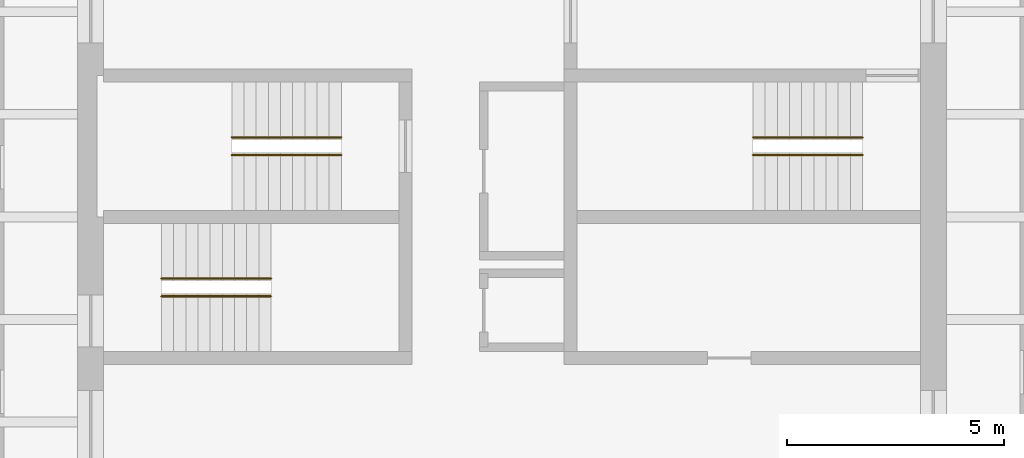
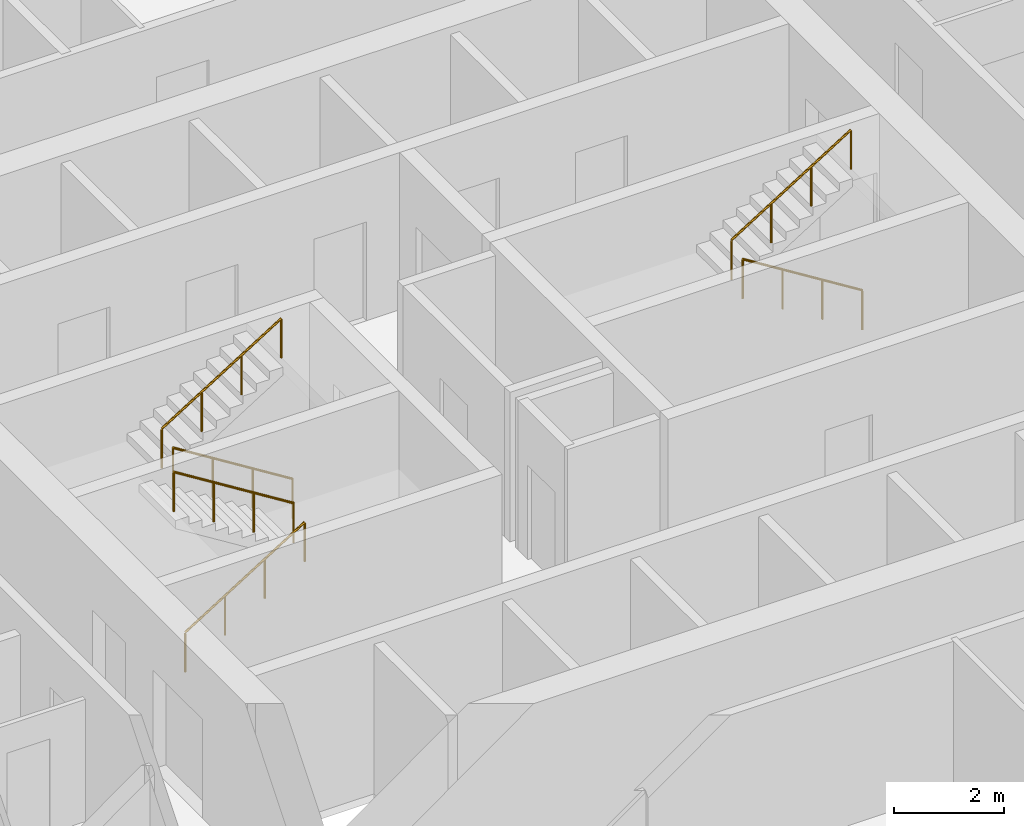
# One storey, part 10 of 10: 6 railings.
"""IFC4 building model written with IfcOpenShell, lengths in metres."""

from ifc_helpers import new_model, si_unit, direction, frame, origin, origin_2d, place, context, subcontext, project, spatial, circle, extrude, material, type_object, element, save


model = new_model("IFC4")

# Units and contexts
model_context = context("Model", 3, precision=1e-05, world=origin(), true_north=direction((0.0, 1.0)))
body_context = subcontext(model_context, "Body", "Model", "MODEL_VIEW")
ifc_project = project(units=[si_unit("LENGTHUNIT", "METRE"), si_unit("AREAUNIT", "SQUARE_METRE"), si_unit("VOLUMEUNIT", "CUBIC_METRE"), si_unit("PLANEANGLEUNIT", "RADIAN"), si_unit("MASSUNIT", "GRAM", prefix="KILO")], contexts=[model_context])

# Site, building, storey
site_placement = place(None, origin())
site = spatial("IfcSite", under=ifc_project, at=site_placement, CompositionType="ELEMENT")
building_placement = place(site_placement, origin())
building = spatial("IfcBuilding", under=site, at=building_placement, Name="Turquesa Mirador Hotel Tower", CompositionType="ELEMENT")
storey_placement = place(building_placement, frame((0.0, 0.0, 46.0)))
storey = spatial("IfcBuildingStorey", under=building, at=storey_placement, Name="L11", CompositionType="ELEMENT", Elevation=46.0)

# Railings
ifc_material = material(Name="Painted steel handrail", Category="steel")
railing_type = type_object("IfcRailingType", Name="HANDRAIL 900 STEEL", PredefinedType="HANDRAIL", material=ifc_material)
railing_1_placement = place(storey_placement, frame((51.070068359375, 46.419921875, 0.175048828125)))
element("IfcRailing", 1, at=railing_1_placement, inside=storey, type_object=railing_type, Name="Handrail ST1", PredefinedType="HANDRAIL", context=body_context, shape_type="SweptSolid", body=[
    extrude(circle(Radius=0.02392578125, at=origin_2d()), frame((0.0, 0.0, 0.8759765625), z_axis=(-0.848007534815, 0.0, 0.529984170421), x_axis=(0.0, -1.0, 0.0)), (0.0, 0.0, 1.0), 2.9716796875),
    extrude(circle(Radius=0.02099609375, at=origin_2d()), origin(), (0.0, 0.0, 1.0), 0.851806640625),
    extrude(circle(Radius=0.02099609375, at=origin_2d()), frame((-0.840087890625, 0.0, 0.52490234375)), (0.0, 0.0, 1.0), 0.851806640625),
    extrude(circle(Radius=0.02099609375, at=origin_2d()), frame((-1.679931640625, 0.0, 1.050048828125)), (0.0, 0.0, 1.0), 0.851806640625),
    extrude(circle(Radius=0.02099609375, at=origin_2d()), frame((-2.52001953125, 0.0, 1.574951171875)), (0.0, 0.0, 1.0), 0.851806640625),
])
for number, where, name in (
    (2, (48.550048828125, 46.830078125, 1.925048828125), "Handrail ST1"),
    (3, (46.929931640625, 43.169921875, 0.175048828125), "Handrail ST2"),
):
    element("IfcRailing", number, at=place(storey_placement, frame(where)), inside=storey, type_object=railing_type, Name=name, PredefinedType="HANDRAIL", context=body_context, shape_type="SweptSolid", body=[
        extrude(circle(Radius=0.02392578125, at=origin_2d()), frame((0.0, 0.0, 0.8759765625), z_axis=(0.848007534815, 0.0, 0.529984170421), x_axis=(0.0, 1.0, 0.0)), (0.0, 0.0, 1.0), 2.9716796875),
        extrude(circle(Radius=0.02099609375, at=origin_2d()), origin(), (0.0, 0.0, 1.0), 0.851806640625),
        extrude(circle(Radius=0.02099609375, at=origin_2d()), frame((0.840087890625, 0.0, 0.52490234375)), (0.0, 0.0, 1.0), 0.851806640625),
        extrude(circle(Radius=0.02099609375, at=origin_2d()), frame((1.679931640625, 0.0, 1.050048828125)), (0.0, 0.0, 1.0), 0.851806640625),
        extrude(circle(Radius=0.02099609375, at=origin_2d()), frame((2.52001953125, 0.0, 1.574951171875)), (0.0, 0.0, 1.0), 0.851806640625),
    ])
for number, where, name in (
    (4, (49.449951171875, 43.580078125, 1.925048828125), "Handrail ST2"),
    (5, (63.070068359375, 46.419921875, 0.175048828125), "Handrail ST3"),
):
    element("IfcRailing", number, at=place(storey_placement, frame(where)), inside=storey, type_object=railing_type, Name=name, PredefinedType="HANDRAIL", context=body_context, shape_type="SweptSolid", body=[
        extrude(circle(Radius=0.02392578125, at=origin_2d()), frame((0.0, 0.0, 0.8759765625), z_axis=(-0.848007534815, 0.0, 0.529984170421), x_axis=(0.0, -1.0, 0.0)), (0.0, 0.0, 1.0), 2.9716796875),
        extrude(circle(Radius=0.02099609375, at=origin_2d()), origin(), (0.0, 0.0, 1.0), 0.851806640625),
        extrude(circle(Radius=0.02099609375, at=origin_2d()), frame((-0.840087890625, 0.0, 0.52490234375)), (0.0, 0.0, 1.0), 0.851806640625),
        extrude(circle(Radius=0.02099609375, at=origin_2d()), frame((-1.679931640625, 0.0, 1.050048828125)), (0.0, 0.0, 1.0), 0.851806640625),
        extrude(circle(Radius=0.02099609375, at=origin_2d()), frame((-2.52001953125, 0.0, 1.574951171875)), (0.0, 0.0, 1.0), 0.851806640625),
    ])
railing_2_placement = place(storey_placement, frame((60.550048828125, 46.830078125, 1.925048828125)))
element("IfcRailing", 6, at=railing_2_placement, inside=storey, type_object=railing_type, Name="Handrail ST3", PredefinedType="HANDRAIL", context=body_context, shape_type="SweptSolid", body=[
    extrude(circle(Radius=0.02392578125, at=origin_2d()), frame((0.0, 0.0, 0.8759765625), z_axis=(0.848007534815, 0.0, 0.529984170421), x_axis=(0.0, 1.0, 0.0)), (0.0, 0.0, 1.0), 2.9716796875),
    extrude(circle(Radius=0.02099609375, at=origin_2d()), origin(), (0.0, 0.0, 1.0), 0.851806640625),
    extrude(circle(Radius=0.02099609375, at=origin_2d()), frame((0.840087890625, 0.0, 0.52490234375)), (0.0, 0.0, 1.0), 0.851806640625),
    extrude(circle(Radius=0.02099609375, at=origin_2d()), frame((1.679931640625, 0.0, 1.050048828125)), (0.0, 0.0, 1.0), 0.851806640625),
    extrude(circle(Radius=0.02099609375, at=origin_2d()), frame((2.52001953125, 0.0, 1.574951171875)), (0.0, 0.0, 1.0), 0.851806640625),
])

save(model, "model.ifc")
